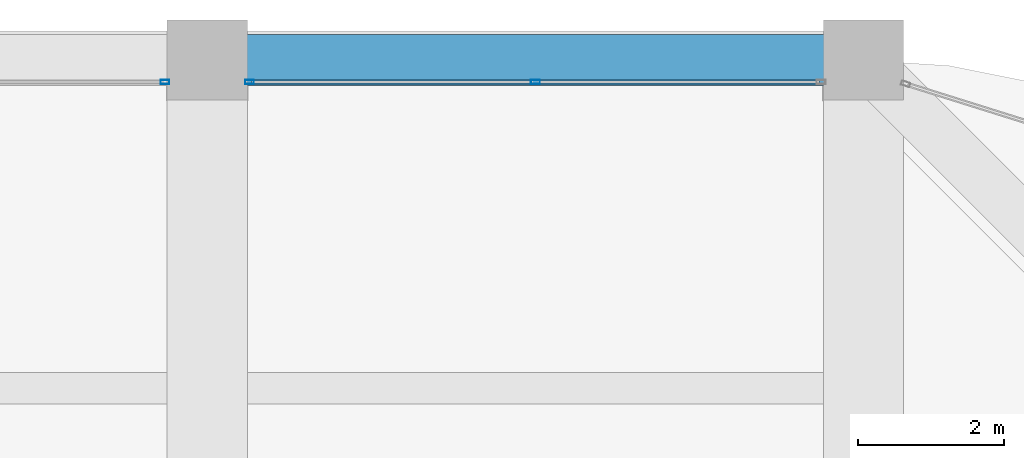
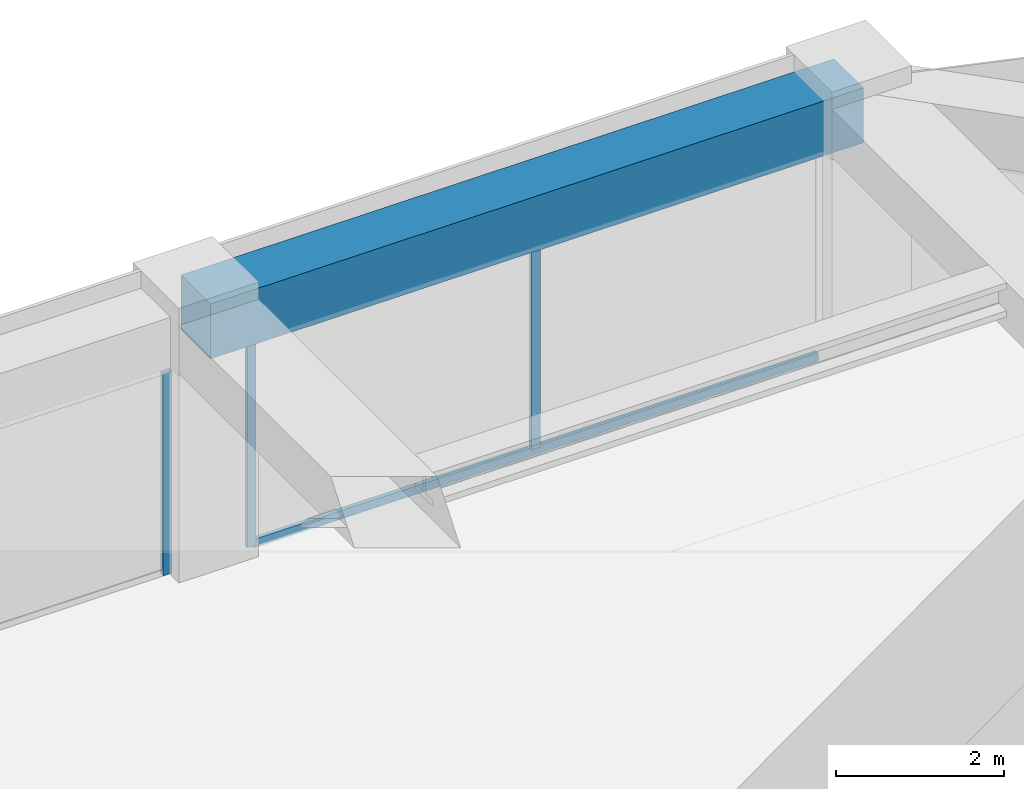
# One storey, part 35 of 44: 4 members, 1 beam, 2 elements without a shape of their own.
"""IFC4 building model written with IfcOpenShell, lengths in metres."""

import ifcopenshell
import ifcopenshell.guid

model = None  # the IFC model being written
_history = None  # IfcOwnerHistory: only IFC2X3 demands one
_inside = {}  # id of a spatial element -> (the spatial element, [elements in it])
_under = {}  # id of a project, library or spatial element -> (it, [spatial elements below it])
_declared = {}  # id of a project -> (the project, [libraries it declares])
_typed = {}  # id of a type object -> (the type object, [elements of that type])
_made_of = {}  # id of a material, layer set ... -> (it, [elements and type objects made of it])


def new_model(schema):
    """Start an empty IFC model of exactly this schema.

    Asked for "IFC4X3", IfcOpenShell would pick the latest addendum, in which some entities
    have other attributes; the version numbers below select the first issue.
    IFC2X3 requires an IfcOwnerHistory on every rooted entity: one is made here for all.
    """
    global model, _history
    if schema == "IFC4X3":
        model = ifcopenshell.file(schema_version=(4, 3, 0, 0))
    else:
        model = ifcopenshell.file(schema=schema)
    _inside.clear()
    _under.clear()
    _declared.clear()
    _typed.clear()
    _made_of.clear()
    _history = None
    if model.schema == "IFC2X3":
        org = make("IfcOrganization", Name="unknown")
        user = make(
            "IfcPersonAndOrganization",
            ThePerson=make("IfcPerson", FamilyName="unknown"),
            TheOrganization=org,
        )
        app = make(
            "IfcApplication",
            ApplicationDeveloper=org,
            Version="unknown",
            ApplicationFullName="unknown",
            ApplicationIdentifier="unknown",
        )
        _history = make(
            "IfcOwnerHistory",
            OwningUser=user,
            OwningApplication=app,
            ChangeAction="ADDED",
            CreationDate=0,
        )
    return model


def make(cls, **values):
    """One entity of the class cls with the attributes given. An attribute that is None is left unset."""
    return model.create_entity(
        cls, **{name: value for name, value in values.items() if value is not None}
    )


def rooted(cls, **values):
    """An entity with a GlobalId (a new one), such as an element, a storey or a relation."""
    return make(cls, GlobalId=ifcopenshell.guid.new(), OwnerHistory=_history, **values)


def si_unit(unit_type, name, prefix=None):
    """IfcSIUnit, for example si_unit("LENGTHUNIT", "METRE", prefix="MILLI")."""
    return make("IfcSIUnit", UnitType=unit_type, Prefix=prefix, Name=name)


def assignment(units):
    """IfcUnitAssignment: the units of a project."""
    return None if units is None else make("IfcUnitAssignment", Units=units)


def point(xyz):
    """IfcCartesianPoint."""
    return None if xyz is None else make("IfcCartesianPoint", Coordinates=xyz)


def direction(xyz):
    """IfcDirection."""
    return None if xyz is None else make("IfcDirection", DirectionRatios=xyz)


def frame(location, z_axis=None, x_axis=None):
    """IfcAxis2Placement3D, a coordinate frame: its origin and axes. An axis left out is left unset."""
    return make(
        "IfcAxis2Placement3D",
        Location=point(location),
        Axis=direction(z_axis),
        RefDirection=direction(x_axis),
    )


def frame_2d(location, x_axis=None):
    """IfcAxis2Placement2D, a coordinate frame in the plane: its origin and x axis."""
    return make(
        "IfcAxis2Placement2D", Location=point(location), RefDirection=direction(x_axis)
    )


def origin():
    """The frame at (0, 0, 0) with its axes left unset."""
    return frame((0.0, 0.0, 0.0))


def origin_2d():
    """The frame at (0, 0) in the plane with its x axis left unset."""
    return frame_2d((0.0, 0.0))


def place(relative_to, where):
    """IfcLocalPlacement: puts the frame where relative to a parent placement (None: the world)."""
    return make(
        "IfcLocalPlacement", PlacementRelTo=relative_to, RelativePlacement=where
    )


def context(
    kind, dimensions, precision=None, world=None, true_north=None, identifier=None
):
    """IfcGeometricRepresentationContext, for example the 3D "Model" context."""
    return make(
        "IfcGeometricRepresentationContext",
        ContextIdentifier=identifier,
        ContextType=kind,
        CoordinateSpaceDimension=dimensions,
        Precision=precision,
        WorldCoordinateSystem=world,
        TrueNorth=true_north,
    )


def subcontext(parent, identifier, kind, view, scale=None):
    """IfcGeometricRepresentationSubContext, for example "Body" below "Model"."""
    return make(
        "IfcGeometricRepresentationSubContext",
        ContextIdentifier=identifier,
        ContextType=kind,
        ParentContext=parent,
        TargetScale=scale,
        TargetView=view,
    )


def project(units=None, contexts=None):
    """IfcProject with its units and contexts."""
    return rooted(
        "IfcProject",
        Name="project",
        RepresentationContexts=contexts,
        UnitsInContext=assignment(units),
    )


def spatial(cls, under=None, at=None, **own):
    """A site, building, storey or space (cls), placed at a placement, below another one or the project."""
    s = rooted(cls, ObjectPlacement=at, **own)
    if under is not None:
        _under.setdefault(under.id(), (under, []))[1].append(s)
    return s


def profile(cls, at=None, kind="AREA", **sizes):
    """A parametric profile (cls). Its sizes go by their IFC names, for example OverallWidth=200.0."""
    return make(cls, ProfileType=kind, Position=at, **sizes)


def rectangle(**sizes):
    """IfcRectangleProfileDef."""
    return profile("IfcRectangleProfileDef", **sizes)


def hollow_rectangle(**sizes):
    """IfcRectangleHollowProfileDef."""
    return profile("IfcRectangleHollowProfileDef", **sizes)


def extrude(swept, where, along, depth):
    """IfcExtrudedAreaSolid: the profile swept, set in the frame where, extruded along a direction by depth."""
    return make(
        "IfcExtrudedAreaSolid",
        SweptArea=swept,
        Position=where,
        ExtrudedDirection=direction(along),
        Depth=depth,
    )


def shape(context_of_items, identifier, shape_type, items):
    """IfcShapeRepresentation: the items that make up one representation, for example the "Body"."""
    return make(
        "IfcShapeRepresentation",
        ContextOfItems=context_of_items,
        RepresentationIdentifier=identifier,
        RepresentationType=shape_type,
        Items=items,
    )


def material(Name=None, Category=None):
    """IfcMaterial."""
    return make("IfcMaterial", Name=Name, Category=Category)


def material_profile(
    of_material, cross_section, Name=None, Category=None, Priority=None
):
    """IfcMaterialProfile: a cross section and its material."""
    return make(
        "IfcMaterialProfile",
        Name=Name,
        Material=of_material,
        Profile=cross_section,
        Priority=Priority,
        Category=Category,
    )


def profile_set(profiles, Name=None, composite=None):
    """IfcMaterialProfileSet."""
    return make(
        "IfcMaterialProfileSet",
        Name=Name,
        MaterialProfiles=profiles,
        CompositeProfile=composite,
    )


def made_of(thing, what):
    """Note that an element or type object is made of a material, layer set ...; save() writes the relation."""
    if what is not None:
        _made_of.setdefault(what.id(), (what, []))[1].append(thing)
    return thing


def type_object(cls, material=None, **own):
    """A type object (cls), such as IfcWallType, which elements share."""
    return made_of(rooted(cls, **own), material)


def element(
    cls,
    number,
    at=None,
    inside=None,
    cuts=None,
    type_object=None,
    material=None,
    context=None,
    identifier="Body",
    shape_type=None,
    held_by="IfcProductDefinitionShape",
    body=None,
    shapes=None,
    **own,
):
    """One element of the class cls, such as IfcWall. Its Tag is "e" and its number.

    at: its placement. inside: the storey or other place that contains it. cuts: it is an
    opening in that element (IfcRelVoidsElement). A single representation is given by context,
    identifier, shape_type and body (its items); several are given by shapes. held_by: the class
    of the entity that holds the representations. save() writes the other relations.
    """
    e = rooted(cls, Tag="e%d" % number, ObjectPlacement=at, **own)
    if body is not None:
        shapes = [shape(context, identifier, shape_type, body)]
    if shapes is not None:
        e.Representation = make(held_by, Representations=shapes)
    if inside is not None:
        _inside.setdefault(inside.id(), (inside, []))[1].append(e)
    if cuts is not None:
        rooted(
            "IfcRelVoidsElement", RelatingBuildingElement=cuts, RelatedOpeningElement=e
        )
    if type_object is not None:
        _typed.setdefault(type_object.id(), (type_object, []))[1].append(e)
    return made_of(e, material)


def aggregate(whole, parts):
    """IfcRelAggregates: a whole, such as a stair, and the parts it consists of."""
    return rooted("IfcRelAggregates", RelatingObject=whole, RelatedObjects=parts)


def save(model, path):
    """Write the relations noted so far, then the file.

    IfcRelAggregates (storeys below a building ...), IfcRelContainedInSpatialStructure (elements
    in a storey), IfcRelDefinesByType, IfcRelAssociatesMaterial and IfcRelDeclares: one each for
    every whole, place, type object, material and project.
    """
    for whole, parts in _under.values():
        aggregate(whole, parts)
    for where, things in _inside.values():
        rooted(
            "IfcRelContainedInSpatialStructure",
            RelatedElements=things,
            RelatingStructure=where,
        )
    for kind, things in _typed.values():
        rooted("IfcRelDefinesByType", RelatedObjects=things, RelatingType=kind)
    for what, things in _made_of.values():
        rooted("IfcRelAssociatesMaterial", RelatedObjects=things, RelatingMaterial=what)
    for by, libraries in _declared.values():
        rooted("IfcRelDeclares", RelatingContext=by, RelatedDefinitions=libraries)
    model.write(path)


model = new_model("IFC4")

# Units and contexts
model_context = context("Model", 3, precision=1e-05, world=origin(), true_north=direction((0.0, 1.0)))
body_context = subcontext(model_context, "Body", "Model", "MODEL_VIEW")
ifc_project = project(units=[si_unit("LENGTHUNIT", "METRE"), si_unit("AREAUNIT", "SQUARE_METRE"), si_unit("VOLUMEUNIT", "CUBIC_METRE"), si_unit("PLANEANGLEUNIT", "RADIAN"), si_unit("MASSUNIT", "GRAM", prefix="KILO")], contexts=[model_context])

# Site, building, storey
site_placement = place(None, origin())
site = spatial("IfcSite", under=ifc_project, at=site_placement, CompositionType="ELEMENT")
building_placement = place(site_placement, origin())
building = spatial("IfcBuilding", under=site, at=building_placement, Name="Zorevar Civic Tower", CompositionType="ELEMENT")
storey_placement = place(building_placement, frame((0.0, 0.0, 263.39990234375)))
storey = spatial("IfcBuildingStorey", under=building, at=storey_placement, Name="L64", CompositionType="ELEMENT", Elevation=263.39990234375)

# Curtain wall, member
ifc_material_1 = material(Name="Dark grey solar-control glass in black aluminium frame", Category="aluminium")
curtain_wall_type = type_object("IfcCurtainWallType", Name="Curtain wall CW5 top zone", PredefinedType="NOTDEFINED", material=ifc_material_1)
curtain_wall_1_placement = place(storey_placement, origin())
curtain_wall_1 = element("IfcCurtainWall", 1, at=curtain_wall_1_placement, inside=storey, type_object=curtain_wall_type, Name="CW5 L64", PredefinedType="NOTDEFINED")
ifc_material_2 = material(Name="Aluminium, black anodised", Category="aluminium")
ifc_material_profile_1 = material_profile(ifc_material_2, hollow_rectangle(XDim=0.06005859375, YDim=0.1201171875, WallThickness=0.0029296875, at=origin_2d()), Name="AL 120x60x3")
ifc_profile_set_1 = profile_set([ifc_material_profile_1], Name="Aluminium, black anodised")
member_type_1 = type_object("IfcMemberType", Name="CW5 mullion AL 120x60x3", PredefinedType="MULLION", material=ifc_profile_set_1)
member_1_placement = place(storey_placement, frame((35.419921875, 44.699951171875, 0.0), z_axis=(0.0, 0.0, 1.0), x_axis=(0.0, 1.0, 0.0)))
member_1 = element("IfcMember", 2, at=member_1_placement, type_object=member_type_1, Name="CW5 mullion 3", PredefinedType="MULLION", context=body_context, shape_type="SweptSolid", body=[
    extrude(hollow_rectangle(XDim=0.06005859375, YDim=0.1201171875, WallThickness=0.0029296875, at=origin_2d()), origin(), (0.0, 0.0, 1.0), 2.9501953125),
])
aggregate(curtain_wall_1, [member_1])

# Curtain wall, members
curtain_wall_2_placement = place(storey_placement, origin())
curtain_wall_2 = element("IfcCurtainWall", 3, at=curtain_wall_2_placement, inside=storey, type_object=curtain_wall_type, Name="CW5 L64", PredefinedType="NOTDEFINED")
member_2_placement = place(storey_placement, frame((36.580078125, 44.699951171875, 0.0), z_axis=(0.0, 0.0, 1.0), x_axis=(0.0, 1.0, 0.0)))
member_2 = element("IfcMember", 4, at=member_2_placement, type_object=member_type_1, Name="CW5 mullion 1", PredefinedType="MULLION", context=body_context, shape_type="SweptSolid", body=[
    extrude(hollow_rectangle(XDim=0.06005859375, YDim=0.1201171875, WallThickness=0.0029296875, at=origin_2d()), origin(), (0.0, 0.0, 1.0), 2.9501953125),
])
member_3_placement = place(storey_placement, frame((40.5, 44.699951171875, 0.06005859375), z_axis=(0.0, 0.0, 1.0), x_axis=(0.0, 1.0, 0.0)))
member_3 = element("IfcMember", 5, at=member_3_placement, type_object=member_type_1, Name="CW5 mullion 2", PredefinedType="MULLION", context=body_context, shape_type="SweptSolid", body=[
    extrude(hollow_rectangle(XDim=0.06005859375, YDim=0.1201171875, WallThickness=0.0029296875, at=origin_2d()), origin(), (0.0, 0.0, 1.0), 2.89013671875),
])
ifc_material_3 = material(Name="Aluminium, black anodised", Category="aluminium")
ifc_material_profile_2 = material_profile(ifc_material_3, hollow_rectangle(XDim=0.06005859375, YDim=0.1201171875, WallThickness=0.0029296875, at=origin_2d()), Name="AL 120x60x3")
ifc_profile_set_2 = profile_set([ifc_material_profile_2], Name="Aluminium, black anodised")
member_type_2 = type_object("IfcMemberType", Name="CW5 transom AL 120x60x3", PredefinedType="USERDEFINED", material=ifc_profile_set_2)
member_4_placement = place(storey_placement, frame((36.610107421875, 44.699951171875, 0.030029296875), z_axis=(1.0, 0.0, 0.0), x_axis=(0.0, 1.0, 0.0)))
member_4 = element("IfcMember", 6, at=member_4_placement, type_object=member_type_2, Name="CW5 sill transom", ObjectType="TRANSOM", PredefinedType="USERDEFINED", context=body_context, shape_type="SweptSolid", body=[
    extrude(hollow_rectangle(XDim=0.06005859375, YDim=0.1201171875, WallThickness=0.0029296875, at=origin_2d()), origin(), (0.0, 0.0, 1.0), 7.77978515625),
])
aggregate(curtain_wall_2, [member_2, member_3, member_4])

# Beam
ifc_material_4 = material(Name="Concrete C50/60", Category="concrete")
ifc_material_profile_3 = material_profile(ifc_material_4, rectangle(XDim=0.699951171875, YDim=0.800048828125, at=origin_2d()), Name="RC 700x800")
ifc_profile_set_3 = profile_set([ifc_material_profile_3], Name="Concrete C50/60")
beam_type = type_object("IfcBeamType", Name="Edge beam RC 700x800", PredefinedType="SPANDREL", material=ifc_profile_set_3)
beam_placement = place(storey_placement, frame((36.0, 45.0, 3.35009765625), z_axis=(1.0, 0.0, 0.0), x_axis=(0.0, 1.0, 0.0)))
element("IfcBeam", 7, at=beam_placement, inside=storey, type_object=beam_type, Name="Edge beam L65", PredefinedType="SPANDREL", context=body_context, shape_type="SweptSolid", body=[
    extrude(rectangle(XDim=0.699951171875, YDim=0.800048828125, at=origin_2d()), origin(), (0.0, 0.0, 1.0), 9.0),
])

save(model, "model.ifc")
